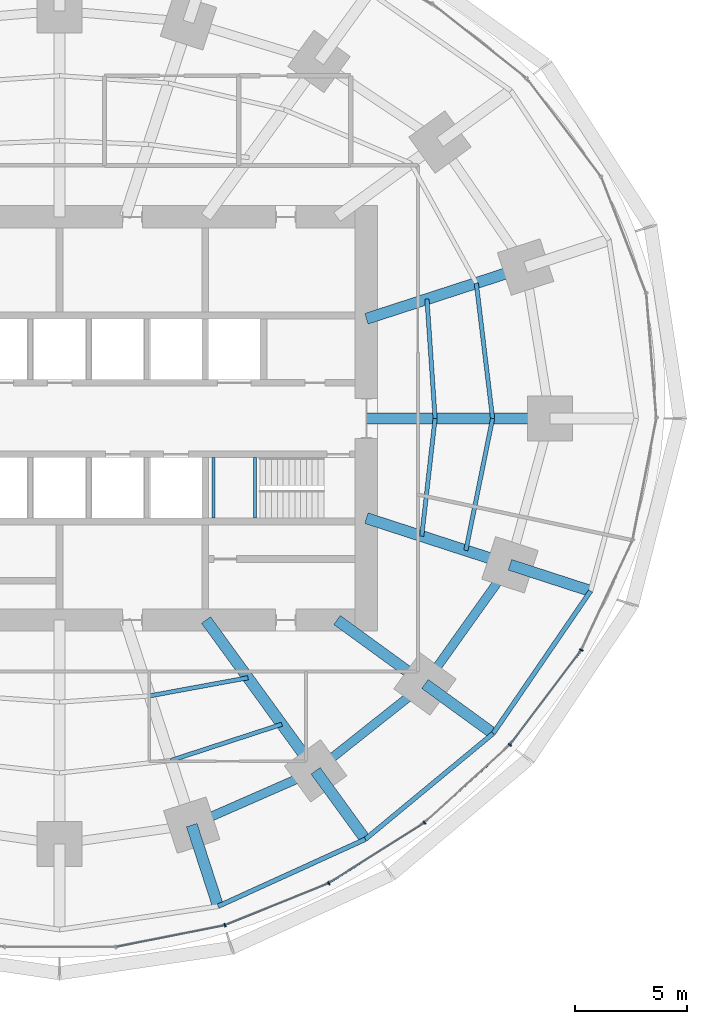
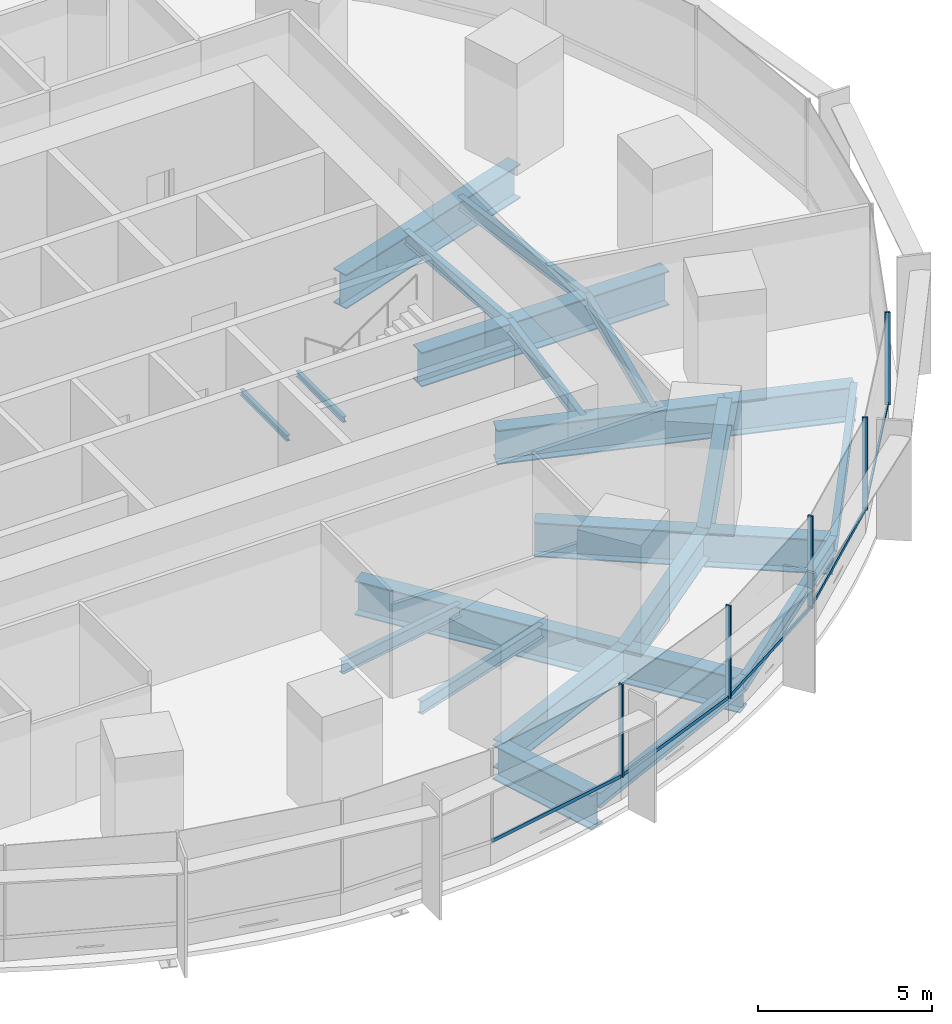
# One storey, part 5 of 15: 23 beams, 10 members, 2 elements without a shape of their own.
"""IFC4 building model written with IfcOpenShell, lengths in metres."""

from ifc_helpers import new_model, si_unit, direction, frame, origin, origin_2d, place, context, subcontext, project, spatial, rectangle, i_section, extrude, material, material_profile, profile_set, type_object, element, aggregate, save


model = new_model("IFC4")

# Units and contexts
model_context = context("Model", 3, precision=1e-05, world=origin(), true_north=direction((0.0, 1.0)))
body_context = subcontext(model_context, "Body", "Model", "MODEL_VIEW")
ifc_project = project(units=[si_unit("LENGTHUNIT", "METRE"), si_unit("AREAUNIT", "SQUARE_METRE"), si_unit("VOLUMEUNIT", "CUBIC_METRE"), si_unit("PLANEANGLEUNIT", "RADIAN"), si_unit("MASSUNIT", "GRAM", prefix="KILO")], contexts=[model_context])

# Site, building, storey
site_placement = place(None, origin())
site = spatial("IfcSite", under=ifc_project, at=site_placement, CompositionType="ELEMENT")
building_placement = place(site_placement, origin())
building = spatial("IfcBuilding", under=site, at=building_placement, Name="Marramba Exchange Tower", CompositionType="ELEMENT")
storey_placement = place(building_placement, frame((0.0, 0.0, 32.199951171875)))
storey = spatial("IfcBuildingStorey", under=building, at=storey_placement, Name="L07", CompositionType="ELEMENT", Elevation=32.199951171875)

# Beams
ifc_material_1 = material(Name="Steel AS/NZS 3679.2 grade 300", Category="steel")
ifc_material_profile_1 = material_profile(ifc_material_1, i_section(OverallWidth=0.5, OverallDepth=1.199951171875, WebThickness=0.01611328125, FlangeThickness=0.0400390625, at=origin_2d()), Name="1200WB455")
ifc_profile_set_1 = profile_set([ifc_material_profile_1], Name="Steel AS/NZS 3679.2 grade 300")
beam_type_1 = type_object("IfcBeamType", Name="Cantilever girder 1200WB455", PredefinedType="BEAM", material=ifc_profile_set_1)
beam_1_placement = place(storey_placement, frame((5.899658203125, -18.156982421875, -0.760009765625), z_axis=(0.309009272901, -0.951059025119, 0.0), x_axis=(0.951059025119, 0.309009272901, 0.0)))
element("IfcBeam", 1, at=beam_1_placement, inside=storey, type_object=beam_type_1, Name="Cantilever girder L07 TC17", PredefinedType="BEAM", context=body_context, shape_type="SweptSolid", body=[
    extrude(i_section(OverallWidth=0.5, OverallDepth=1.199951171875, WebThickness=0.01611328125, FlangeThickness=0.0400390625, at=origin_2d()), origin(), (0.0, 0.0, 1.0), 3.809814453125),
])
beam_2_placement = place(storey_placement, frame((11.430419921875, -15.732666015625, -0.760009765625), z_axis=(0.587787232741, -0.809015555491, 0.0), x_axis=(0.809015555491, 0.587787232741, 0.0)))
element("IfcBeam", 2, at=beam_2_placement, inside=storey, type_object=beam_type_1, Name="Cantilever girder L07 TC18", PredefinedType="BEAM", context=body_context, shape_type="SweptSolid", body=[
    extrude(i_section(OverallWidth=0.5, OverallDepth=1.199951171875, WebThickness=0.01611328125, FlangeThickness=0.0400390625, at=origin_2d()), origin(), (0.0, 0.0, 1.0), 3.7763671875),
])
beam_3_placement = place(storey_placement, frame((16.3154296875, -11.853759765625, -0.760009765625), z_axis=(0.809008346081, -0.587797155463, 0.0), x_axis=(0.587797155463, 0.809008346081, 0.0)))
element("IfcBeam", 3, at=beam_3_placement, inside=storey, type_object=beam_type_1, Name="Cantilever girder L07 TC19", PredefinedType="BEAM", context=body_context, shape_type="SweptSolid", body=[
    extrude(i_section(OverallWidth=0.5, OverallDepth=1.199951171875, WebThickness=0.01611328125, FlangeThickness=0.0400390625, at=origin_2d()), origin(), (0.0, 0.0, 1.0), 3.76025390625),
])
beam_4_placement = place(storey_placement, frame((20.109375, -6.533935546875, -0.760009765625), z_axis=(0.951048759501, -0.309040866314, 0.0), x_axis=(0.309040866314, 0.951048759501, 0.0)))
element("IfcBeam", 4, at=beam_4_placement, inside=storey, type_object=beam_type_1, Name="Cantilever girder L07 TC20", PredefinedType="BEAM", context=body_context, shape_type="SweptSolid", body=[
    extrude(i_section(OverallWidth=0.5, OverallDepth=1.199951171875, WebThickness=0.01611328125, FlangeThickness=0.0400390625, at=origin_2d()), origin(), (0.0, 0.0, 1.0), 3.78564453125),
])
ifc_material_2 = material(Name="Steel AS/NZS 3679.1 grade 300", Category="steel")
ifc_material_profile_2 = material_profile(ifc_material_2, i_section(OverallWidth=0.18994140625, OverallDepth=0.4541015625, WebThickness=0.008544921875, FlangeThickness=0.0126953125, FilletRadius=0.011474609375, at=origin_2d()), Name="460UB67.1")
ifc_profile_set_2 = profile_set([ifc_material_profile_2], Name="Steel AS/NZS 3679.1 grade 300")
beam_type_2 = type_object("IfcBeamType", Name="Floor joist 460UB67.1", PredefinedType="JOIST", material=ifc_profile_set_2)
beam_5_placement = place(storey_placement, frame((16.7666015625, 0.0, -0.386962890625), z_axis=(-0.068096259546, 0.99767875563, 0.0), x_axis=(-0.99767875563, -0.068096259546, 0.0)))
element("IfcBeam", 5, at=beam_5_placement, inside=storey, type_object=beam_type_2, Name="Joist L07 bay 01 row 1", PredefinedType="JOIST", context=body_context, shape_type="SweptSolid", body=[
    extrude(i_section(OverallWidth=0.18994140625, OverallDepth=0.4541015625, WebThickness=0.008544921875, FlangeThickness=0.0126953125, FilletRadius=0.011474609375, at=origin_2d()), origin(), (0.0, 0.0, 1.0), 5.342041015625),
])
beam_6_placement = place(storey_placement, frame((19.333251953125, 0.0, -0.386962890625), z_axis=(-0.119523078538, 0.992831422597, 0.0), x_axis=(-0.992831422597, -0.119523078538, 0.0)))
element("IfcBeam", 6, at=beam_6_placement, inside=storey, type_object=beam_type_2, Name="Joist L07 bay 01 row 2", PredefinedType="JOIST", context=body_context, shape_type="SweptSolid", body=[
    extrude(i_section(OverallWidth=0.18994140625, OverallDepth=0.4541015625, WebThickness=0.008544921875, FlangeThickness=0.0126953125, FilletRadius=0.011474609375, at=origin_2d()), origin(), (0.0, 0.0, 1.0), 6.089111328125),
])
beam_7_placement = place(storey_placement, frame((4.0244140625, -12.3857421875, -0.386962890625), z_axis=(0.983455754421, 0.181148500119, 0.0), x_axis=(-0.181148500119, 0.983455754421, 0.0)))
element("IfcBeam", 7, at=beam_7_placement, inside=storey, type_object=beam_type_2, Name="Joist L07 bay 17 row 1", PredefinedType="JOIST", context=body_context, shape_type="SweptSolid", body=[
    extrude(i_section(OverallWidth=0.18994140625, OverallDepth=0.4541015625, WebThickness=0.008544921875, FlangeThickness=0.0126953125, FilletRadius=0.011474609375, at=origin_2d()), origin(), (0.0, 0.0, 1.0), 4.4609375),
])
beam_8_placement = place(storey_placement, frame((4.9619140625, -15.271484375, -0.386962890625), z_axis=(0.950764024931, 0.309915744834, 0.0), x_axis=(-0.309915744834, 0.950764024931, 0.0)))
element("IfcBeam", 8, at=beam_8_placement, inside=storey, type_object=beam_type_2, Name="Joist L07 bay 17 row 2", PredefinedType="JOIST", context=body_context, shape_type="SweptSolid", body=[
    extrude(i_section(OverallWidth=0.18994140625, OverallDepth=0.4541015625, WebThickness=0.008544921875, FlangeThickness=0.0126953125, FilletRadius=0.011474609375, at=origin_2d()), origin(), (0.0, 0.0, 1.0), 5.2158203125),
])
beam_9_placement = place(storey_placement, frame((16.169677734375, -5.25390625, -0.386962890625), z_axis=(0.112888968594, 0.993607609054, 0.0), x_axis=(-0.993607609054, 0.112888968594, 0.0)))
element("IfcBeam", 9, at=beam_9_placement, inside=storey, type_object=beam_type_2, Name="Joist L07 bay 20 row 1", PredefinedType="JOIST", context=body_context, shape_type="SweptSolid", body=[
    extrude(i_section(OverallWidth=0.18994140625, OverallDepth=0.4541015625, WebThickness=0.008544921875, FlangeThickness=0.0126953125, FilletRadius=0.011474609375, at=origin_2d()), origin(), (0.0, 0.0, 1.0), 5.28759765625),
])
beam_10_placement = place(storey_placement, frame((18.1396484375, -5.893798828125, -0.386962890625), z_axis=(0.198489047047, 0.980103105904, 0.0), x_axis=(-0.980103105904, 0.198489047047, 0.0)))
element("IfcBeam", 10, at=beam_10_placement, inside=storey, type_object=beam_type_2, Name="Joist L07 bay 20 row 2", PredefinedType="JOIST", context=body_context, shape_type="SweptSolid", body=[
    extrude(i_section(OverallWidth=0.18994140625, OverallDepth=0.4541015625, WebThickness=0.008544921875, FlangeThickness=0.0126953125, FilletRadius=0.011474609375, at=origin_2d()), origin(), (0.0, 0.0, 1.0), 6.013427734375),
])
ifc_material_profile_3 = material_profile(ifc_material_1, i_section(OverallWidth=0.5, OverallDepth=1.199951171875, WebThickness=0.01611328125, FlangeThickness=0.0400390625, at=origin_2d()), Name="1200WB455")
ifc_profile_set_3 = profile_set([ifc_material_profile_3], Name="Steel AS/NZS 3679.2 grade 300")
beam_type_3 = type_object("IfcBeamType", Name="Radial girder 1200WB455", PredefinedType="BEAM", material=ifc_profile_set_3)
beam_11_placement = place(storey_placement, frame((13.699951171875, 0.0, -0.760009765625), z_axis=(1.0, 0.0, 0.0), x_axis=(0.0, 1.0, 0.0)))
element("IfcBeam", 11, at=beam_11_placement, inside=storey, type_object=beam_type_3, Name="Radial girder L07 TC01", PredefinedType="BEAM", context=body_context, shape_type="SweptSolid", body=[
    extrude(i_section(OverallWidth=0.5, OverallDepth=1.199951171875, WebThickness=0.01611328125, FlangeThickness=0.0400390625, at=origin_2d()), origin(), (0.0, 0.0, 1.0), 8.199951171875),
])
beam_12_placement = place(storey_placement, frame((13.699951171875, 4.451416015625, -0.760009765625), z_axis=(0.951059990189, 0.309006302624, 0.0), x_axis=(-0.309006302624, 0.951059990189, 0.0)))
element("IfcBeam", 12, at=beam_12_placement, inside=storey, type_object=beam_type_3, Name="Radial girder L07 TC02", PredefinedType="BEAM", context=body_context, shape_type="SweptSolid", body=[
    extrude(i_section(OverallWidth=0.5, OverallDepth=1.199951171875, WebThickness=0.01611328125, FlangeThickness=0.0400390625, at=origin_2d()), origin(), (0.0, 0.0, 1.0), 7.47412109375),
])
beam_13_placement = place(storey_placement, frame((6.538818359375, -9.0, -0.760009765625), z_axis=(0.587787877172, -0.809015087282, 0.0), x_axis=(0.809015087282, 0.587787877172, 0.0)))
element("IfcBeam", 13, at=beam_13_placement, inside=storey, type_object=beam_type_3, Name="Radial girder L07 TC18", PredefinedType="BEAM", context=body_context, shape_type="SweptSolid", body=[
    extrude(i_section(OverallWidth=0.5, OverallDepth=1.199951171875, WebThickness=0.01611328125, FlangeThickness=0.0400390625, at=origin_2d()), origin(), (0.0, 0.0, 1.0), 8.322021484375),
])
beam_14_placement = place(storey_placement, frame((12.387451171875, -9.0, -0.760009765625), z_axis=(0.809025189606, -0.58777397236, 0.0), x_axis=(0.58777397236, 0.809025189606, 0.0)))
element("IfcBeam", 14, at=beam_14_placement, inside=storey, type_object=beam_type_3, Name="Radial girder L07 TC19", PredefinedType="BEAM", context=body_context, shape_type="SweptSolid", body=[
    extrude(i_section(OverallWidth=0.5, OverallDepth=1.199951171875, WebThickness=0.01611328125, FlangeThickness=0.0400390625, at=origin_2d()), origin(), (0.0, 0.0, 1.0), 4.855224609375),
])
beam_15_placement = place(storey_placement, frame((13.699951171875, -4.451416015625, -0.760009765625), z_axis=(0.951057759669, -0.309013167637, 0.0), x_axis=(0.309013167637, 0.951057759669, 0.0)))
element("IfcBeam", 15, at=beam_15_placement, inside=storey, type_object=beam_type_3, Name="Radial girder L07 TC20", PredefinedType="BEAM", context=body_context, shape_type="SweptSolid", body=[
    extrude(i_section(OverallWidth=0.5, OverallDepth=1.199951171875, WebThickness=0.01611328125, FlangeThickness=0.0400390625, at=origin_2d()), origin(), (0.0, 0.0, 1.0), 6.7392578125),
])
ifc_material_profile_4 = material_profile(ifc_material_1, i_section(OverallWidth=0.39990234375, OverallDepth=1.0, WebThickness=0.01611328125, FlangeThickness=0.031982421875, at=origin_2d()), Name="1000WB322")
ifc_profile_set_4 = profile_set([ifc_material_profile_4], Name="Steel AS/NZS 3679.2 grade 300")
beam_type_4 = type_object("IfcBeamType", Name="Ring beam 1000WB322", PredefinedType="SPANDREL", material=ifc_profile_set_4)
beam_16_placement = place(storey_placement, frame((5.899658203125, -18.156982421875, -0.659912109375), z_axis=(0.915876892158, 0.4014592363, 0.0), x_axis=(-0.4014592363, 0.915876892158, 0.0)))
element("IfcBeam", 16, at=beam_16_placement, inside=storey, type_object=beam_type_4, Name="Ring beam L07 TC17-TC18", PredefinedType="SPANDREL", context=body_context, shape_type="SweptSolid", body=[
    extrude(i_section(OverallWidth=0.39990234375, OverallDepth=1.0, WebThickness=0.01611328125, FlangeThickness=0.031982421875, at=origin_2d()), origin(), (0.0, 0.0, 1.0), 6.038818359375),
])
beam_17_placement = place(storey_placement, frame((11.430419921875, -15.732666015625, -0.659912109375), z_axis=(0.783139438128, 0.621846138887, 0.0), x_axis=(-0.621846138887, 0.783139438128, 0.0)))
element("IfcBeam", 17, at=beam_17_placement, inside=storey, type_object=beam_type_4, Name="Ring beam L07 TC18-TC19", PredefinedType="SPANDREL", context=body_context, shape_type="SweptSolid", body=[
    extrude(i_section(OverallWidth=0.39990234375, OverallDepth=1.0, WebThickness=0.01611328125, FlangeThickness=0.031982421875, at=origin_2d()), origin(), (0.0, 0.0, 1.0), 6.23779296875),
])
beam_18_placement = place(storey_placement, frame((16.3154296875, -11.853759765625, -0.659912109375), z_axis=(0.580637181111, 0.814162430914, 0.0), x_axis=(-0.814162430914, 0.580637181111, 0.0)))
element("IfcBeam", 18, at=beam_18_placement, inside=storey, type_object=beam_type_4, Name="Ring beam L07 TC19-TC20", PredefinedType="SPANDREL", context=body_context, shape_type="SweptSolid", body=[
    extrude(i_section(OverallWidth=0.39990234375, OverallDepth=1.0, WebThickness=0.01611328125, FlangeThickness=0.031982421875, at=origin_2d()), origin(), (0.0, 0.0, 1.0), 6.5341796875),
])
ifc_material_profile_5 = material_profile(ifc_material_2, i_section(OverallWidth=0.208984375, OverallDepth=0.528076171875, WebThickness=0.009521484375, FlangeThickness=0.01318359375, FilletRadius=0.013916015625, at=origin_2d()), Name="530UB82.0")
ifc_profile_set_5 = profile_set([ifc_material_profile_5], Name="Steel AS/NZS 3679.1 grade 300")
beam_type_5 = type_object("IfcBeamType", Name="Slab edge beam 530UB82.0", PredefinedType="SPANDREL", material=ifc_profile_set_5)
beam_19_placement = place(storey_placement, frame((7.076904296875, -21.7802734375, -0.424072265625), z_axis=(0.910126690081, 0.414330071324, 0.0), x_axis=(-0.414330071324, 0.910126690081, 0.0)))
element("IfcBeam", 19, at=beam_19_placement, inside=storey, type_object=beam_type_5, Name="Slab edge beam L07 TC17-TC18", PredefinedType="SPANDREL", context=body_context, shape_type="SweptSolid", body=[
    extrude(i_section(OverallWidth=0.208984375, OverallDepth=0.528076171875, WebThickness=0.009521484375, FlangeThickness=0.01318359375, FilletRadius=0.013916015625, at=origin_2d()), origin(), (0.0, 0.0, 1.0), 7.222412109375),
])
beam_20_placement = place(storey_placement, frame((13.650146484375, -18.787841796875, -0.424072265625), z_axis=(0.770353575372, 0.637616945283, 0.0), x_axis=(-0.637616945283, 0.770353575372, 0.0)))
element("IfcBeam", 20, at=beam_20_placement, inside=storey, type_object=beam_type_5, Name="Slab edge beam L07 TC18-TC19", PredefinedType="SPANDREL", context=body_context, shape_type="SweptSolid", body=[
    extrude(i_section(OverallWidth=0.208984375, OverallDepth=0.528076171875, WebThickness=0.009521484375, FlangeThickness=0.01318359375, FilletRadius=0.013916015625, at=origin_2d()), origin(), (0.0, 0.0, 1.0), 7.40869140625),
])
beam_21_placement = place(storey_placement, frame((19.357421875, -14.06396484375, -0.424072265625), z_axis=(0.564740697285, 0.82526840775, 0.0), x_axis=(-0.82526840775, 0.564740697285, 0.0)))
element("IfcBeam", 21, at=beam_21_placement, inside=storey, type_object=beam_type_5, Name="Slab edge beam L07 TC19-TC20", PredefinedType="SPANDREL", context=body_context, shape_type="SweptSolid", body=[
    extrude(i_section(OverallWidth=0.208984375, OverallDepth=0.528076171875, WebThickness=0.009521484375, FlangeThickness=0.01318359375, FilletRadius=0.013916015625, at=origin_2d()), origin(), (0.0, 0.0, 1.0), 7.706787109375),
])
ifc_material_profile_6 = material_profile(ifc_material_2, i_section(OverallWidth=0.133056640625, OverallDepth=0.202880859375, WebThickness=0.005859375, FlangeThickness=0.0078125, FilletRadius=0.0087890625, at=origin_2d()), Name="200UB25.4")
ifc_profile_set_6 = profile_set([ifc_material_profile_6], Name="Steel AS/NZS 3679.1 grade 300")
beam_type_6 = type_object("IfcBeamType", Name="Stair landing beam 200UB25.4", PredefinedType="BEAM", material=ifc_profile_set_6)
for number, where, z_axis, x_axis, name in (
    (22, (6.866455078125, -4.449951171875, 1.798583984375), (0.0, 1.0, 0.0), (-1.0, 0.0, 0.0), "Stair landing beam SLB1 ST2 L07 1"),
    (23, (8.723388671875, -4.449951171875, 1.798583984375), (0.0, 1.0, 0.0), (-1.0, 0.0, 0.0), "Stair landing beam SLB1 ST2 L07 2"),
):
    element("IfcBeam", number, at=place(storey_placement, frame(where, z_axis=z_axis, x_axis=x_axis)), inside=storey, type_object=beam_type_6, Name=name, PredefinedType="BEAM", context=body_context, shape_type="SweptSolid", body=[
        extrude(i_section(OverallWidth=0.133056640625, OverallDepth=0.202880859375, WebThickness=0.005859375, FlangeThickness=0.0078125, FilletRadius=0.0087890625, at=origin_2d()), origin(), (0.0, 0.0, 1.0), 2.699951171875),
    ])

# Curtain wall, member
ifc_material_3 = material(Name="Aluminium framing, bronze anodised", Category="aluminium")
curtain_wall_type = type_object("IfcCurtainWallType", Name="Trading floor ribbon curtain wall", PredefinedType="USERDEFINED", material=ifc_material_3)
curtain_wall_1_placement = place(storey_placement, origin())
curtain_wall_1 = element("IfcCurtainWall", 24, at=curtain_wall_1_placement, inside=storey, type_object=curtain_wall_type, Name="Curtain wall CW3 L07 F21-F25", ObjectType="RIBBON CURTAIN WALL", PredefinedType="USERDEFINED")
ifc_material_4 = material(Name="Aluminium mullion, bronze anodised", Category="aluminium")
ifc_material_profile_7 = material_profile(ifc_material_4, rectangle(XDim=0.159912109375, YDim=0.06005859375, at=origin_2d()), Name="CW3 mullion 60x160")
ifc_profile_set_7 = profile_set([ifc_material_profile_7], Name="Aluminium mullion, bronze anodised")
member_type_1 = type_object("IfcMemberType", Name="Trading floor ribbon curtain wall mullion", PredefinedType="MULLION", material=ifc_profile_set_7)
member_1_placement = place(storey_placement, frame((7.3828125, -22.625, 0.800048828125), z_axis=(0.0, 0.0, 1.0), x_axis=(-0.374218219325, 0.927340673283, 0.0)))
member_1 = element("IfcMember", 25, at=member_1_placement, type_object=member_type_1, Name="CW3 mullion 1", PredefinedType="MULLION", context=body_context, shape_type="SweptSolid", body=[
    extrude(rectangle(XDim=0.159912109375, YDim=0.06005859375, at=origin_2d()), origin(), (0.0, 0.0, 1.0), 3.239990234375),
])

# Curtain wall, members
curtain_wall_2_placement = place(storey_placement, origin())
curtain_wall_2 = element("IfcCurtainWall", 26, at=curtain_wall_2_placement, inside=storey, type_object=curtain_wall_type, Name="Curtain wall CW3 L07 F26-F30", ObjectType="RIBBON CURTAIN WALL", PredefinedType="USERDEFINED")
member_2_placement = place(storey_placement, frame((12.0146484375, -20.75, 0.800048828125), z_axis=(0.0, 0.0, 1.0), x_axis=(-0.533514646612, 0.845790826298, 0.0)))
member_2 = element("IfcMember", 27, at=member_2_placement, type_object=member_type_1, Name="CW3 mullion 1", PredefinedType="MULLION", context=body_context, shape_type="SweptSolid", body=[
    extrude(rectangle(XDim=0.159912109375, YDim=0.06005859375, at=origin_2d()), origin(), (0.0, 0.0, 1.0), 3.239990234375),
])
member_3_placement = place(storey_placement, frame((16.2900390625, -18.047119140625, 0.800048828125), z_axis=(0.0, 0.0, 1.0), x_axis=(-0.673058133441, 0.739589581463, 0.0)))
member_3 = element("IfcMember", 28, at=member_3_placement, type_object=member_type_1, Name="CW3 mullion 1", PredefinedType="MULLION", context=body_context, shape_type="SweptSolid", body=[
    extrude(rectangle(XDim=0.159912109375, YDim=0.06005859375, at=origin_2d()), origin(), (0.0, 0.0, 1.0), 3.239990234375),
])
member_4_placement = place(storey_placement, frame((20.103515625, -14.569091796875, 0.800048828125), z_axis=(0.0, 0.0, 1.0), x_axis=(-0.797710591138, 0.603040473588, 0.0)))
member_4 = element("IfcMember", 29, at=member_4_placement, type_object=member_type_1, Name="CW3 mullion 1", PredefinedType="MULLION", context=body_context, shape_type="SweptSolid", body=[
    extrude(rectangle(XDim=0.159912109375, YDim=0.06005859375, at=origin_2d()), origin(), (0.0, 0.0, 1.0), 3.239990234375),
])
member_5_placement = place(storey_placement, frame((23.2939453125, -10.33837890625, 0.800048828125), z_axis=(0.0, 0.0, 1.0), x_axis=(-0.905906758768, 0.423477206492, 0.0)))
member_5 = element("IfcMember", 30, at=member_5_placement, type_object=member_type_1, Name="CW3 mullion 1", PredefinedType="MULLION", context=body_context, shape_type="SweptSolid", body=[
    extrude(rectangle(XDim=0.159912109375, YDim=0.06005859375, at=origin_2d()), origin(), (0.0, 0.0, 1.0), 3.239990234375),
])

# Member
ifc_material_5 = material(Name="Aluminium transom, bronze anodised", Category="aluminium")
ifc_material_profile_8 = material_profile(ifc_material_5, rectangle(XDim=0.06005859375, YDim=0.1201171875, at=origin_2d()), Name="CW3 transom 60x120")
ifc_profile_set_8 = profile_set([ifc_material_profile_8], Name="Aluminium transom, bronze anodised")
member_type_2 = type_object("IfcMemberType", Name="Trading floor ribbon curtain wall transom", PredefinedType="USERDEFINED", material=ifc_profile_set_8)
member_6_placement = place(storey_placement, frame((2.539306640625, -23.58837890625, 0.830078125), z_axis=(0.981008707181, 0.193963698758, 0.0), x_axis=(-0.193963698758, 0.981008707181, 0.0)))
member_6 = element("IfcMember", 31, at=member_6_placement, type_object=member_type_2, Name="CW3 sill transom", ObjectType="TRANSOM", PredefinedType="USERDEFINED", context=body_context, shape_type="SweptSolid", body=[
    extrude(rectangle(XDim=0.06005859375, YDim=0.1201171875, at=origin_2d()), origin(), (0.0, 0.0, 1.0), 4.908935546875),
])

member_7_placement = place(storey_placement, frame((7.41064453125, -22.61376953125, 0.830078125), z_axis=(0.927340197166, 0.374219399176, 0.0), x_axis=(-0.374219399176, 0.927340197166, 0.0)))
member_7 = element("IfcMember", 32, at=member_7_placement, type_object=member_type_2, Name="CW3 sill transom", ObjectType="TRANSOM", PredefinedType="USERDEFINED", context=body_context, shape_type="SweptSolid", body=[
    extrude(rectangle(XDim=0.06005859375, YDim=0.1201171875, at=origin_2d()), origin(), (0.0, 0.0, 1.0), 4.937255859375),
])

aggregate(curtain_wall_1, [member_6, member_1, member_7])

member_8_placement = place(storey_placement, frame((12.0400390625, -20.734130859375, 0.830078125), z_axis=(0.845776602594, 0.533537195053, 0.0), x_axis=(-0.533537195053, 0.845776602594, 0.0)))
member_8 = element("IfcMember", 33, at=member_8_placement, type_object=member_type_2, Name="CW3 sill transom", ObjectType="TRANSOM", PredefinedType="USERDEFINED", context=body_context, shape_type="SweptSolid", body=[
    extrude(rectangle(XDim=0.06005859375, YDim=0.1201171875, at=origin_2d()), origin(), (0.0, 0.0, 1.0), 4.998779296875),
])

member_9_placement = place(storey_placement, frame((16.312255859375, -18.02685546875, 0.830078125), z_axis=(0.739582688456, 0.673065707741, 0.0), x_axis=(-0.673065707741, 0.739582688456, 0.0)))
member_9 = element("IfcMember", 34, at=member_9_placement, type_object=member_type_2, Name="CW3 sill transom", ObjectType="TRANSOM", PredefinedType="USERDEFINED", context=body_context, shape_type="SweptSolid", body=[
    extrude(rectangle(XDim=0.06005859375, YDim=0.1201171875, at=origin_2d()), origin(), (0.0, 0.0, 1.0), 5.101806640625),
])

member_10_placement = place(storey_placement, frame((20.12158203125, -14.545166015625, 0.830078125), z_axis=(0.603037409419, 0.797712907531, 0.0), x_axis=(-0.797712907531, 0.603037409419, 0.0)))
member_10 = element("IfcMember", 35, at=member_10_placement, type_object=member_type_2, Name="CW3 sill transom", ObjectType="TRANSOM", PredefinedType="USERDEFINED", context=body_context, shape_type="SweptSolid", body=[
    extrude(rectangle(XDim=0.06005859375, YDim=0.1201171875, at=origin_2d()), origin(), (0.0, 0.0, 1.0), 5.239501953125),
])

aggregate(curtain_wall_2, [member_2, member_8, member_3, member_9, member_4, member_10, member_5])

save(model, "model.ifc")
